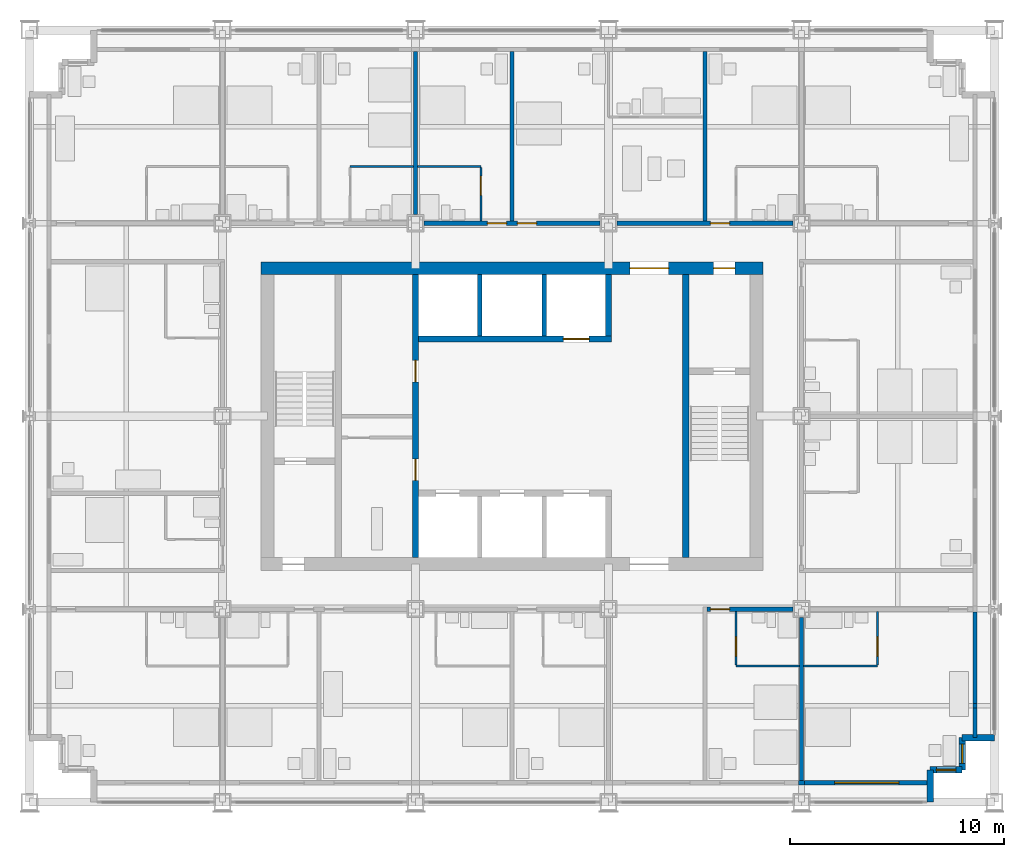
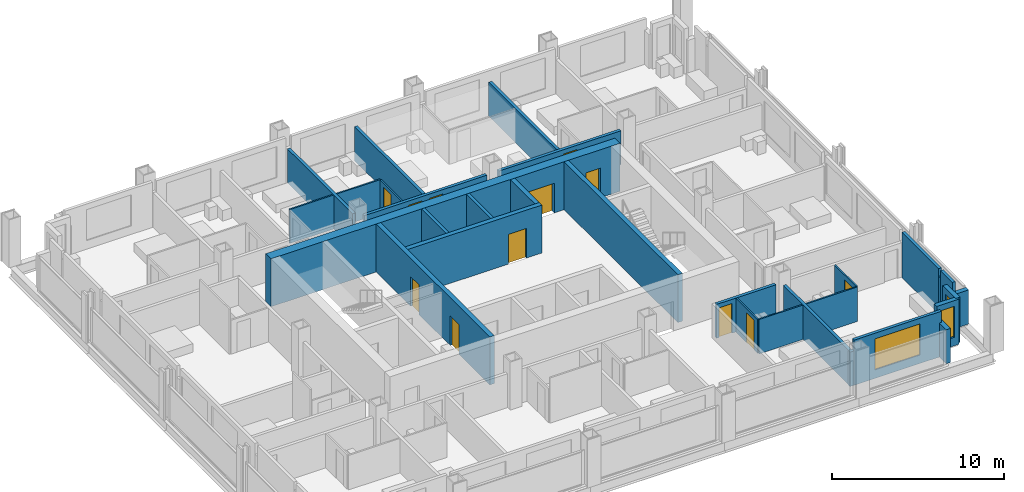
# One storey, part 11 of 16: 30 walls, 12 doors, 3 windows, 15 openings.
"""IFC4 building model written with IfcOpenShell, lengths in metres."""

from ifc_helpers import new_model, si_unit, direction, frame, frame_2d, origin, place, context, subcontext, project, spatial, rectangle, extrude, material, layer, layer_set, type_object, element, fill, save


model = new_model("IFC4")

# Units and contexts
model_context = context("Model", 3, precision=1e-05, world=origin(), true_north=direction((0.0, 1.0)))
body_context = subcontext(model_context, "Body", "Model", "MODEL_VIEW")
ifc_project = project(units=[si_unit("LENGTHUNIT", "METRE"), si_unit("AREAUNIT", "SQUARE_METRE"), si_unit("VOLUMEUNIT", "CUBIC_METRE"), si_unit("PLANEANGLEUNIT", "RADIAN"), si_unit("MASSUNIT", "GRAM", prefix="KILO")], contexts=[model_context])

# Site, building, storey
site_placement = place(None, origin())
site = spatial("IfcSite", under=ifc_project, at=site_placement, CompositionType="ELEMENT")
building_placement = place(site_placement, origin())
building = spatial("IfcBuilding", under=site, at=building_placement, Name="Loomwork Tower", CompositionType="ELEMENT")
storey_placement = place(building_placement, frame((0.0, 0.0, 104.39990234375)))
storey = spatial("IfcBuildingStorey", under=building, at=storey_placement, Name="L27", CompositionType="ELEMENT", Elevation=104.39990234375)

# Wall, openings, doors
ifc_material_1 = material(Name="Concrete 14000 psi (97 MPa)", Category="concrete")
ifc_layer_1 = layer(ifc_material_1, 0.300048828125)
ifc_layer_set_1 = layer_set([ifc_layer_1], Name="Core shear wall 300")
wall_type_1 = type_object("IfcWallType", Name="Core shear wall 300", PredefinedType="SHEAR", material=ifc_layer_set_1)
wall_1_placement = place(storey_placement, frame((18.0, 11.39990234375, 0.0), z_axis=(0.0, 0.0, 1.0), x_axis=(0.0, 1.0, 0.0)))
wall_1 = element("IfcWall", 1, at=wall_1_placement, inside=storey, type_object=wall_type_1, Name="Lobby west wall L27", PredefinedType="SHEAR", context=body_context, shape_type="SweptSolid", body=[
    extrude(rectangle(XDim=13.2001953125, YDim=0.300048828125, at=frame_2d((6.60009765625, 0.0))), origin(), (0.0, 0.0, 1.0), 3.400146484375),
])
opening_1_placement = place(wall_1_placement, frame((3.60009765625, 0.0, 0.0)))
opening_1 = element("IfcOpeningElement", 2, at=opening_1_placement, cuts=wall_1, Name="Opening D5", PredefinedType="OPENING", context=body_context, shape_type="SweptSolid", body=[
    extrude(rectangle(XDim=1.0, YDim=2.10009765625, at=frame_2d((0.5, 1.050048828125))), frame((0.0, 0.159912109375, 0.0), z_axis=(0.0, -1.0, 0.0), x_axis=(1.0, 0.0, 0.0)), (0.0, 0.0, 1.0), 0.320068359375),
])
opening_2_placement = place(wall_1_placement, frame((8.199951171875, 0.0, 0.0)))
opening_2 = element("IfcOpeningElement", 3, at=opening_2_placement, cuts=wall_1, Name="Opening D5", PredefinedType="OPENING", context=body_context, shape_type="SweptSolid", body=[
    extrude(rectangle(XDim=1.0, YDim=2.10009765625, at=frame_2d((0.5, 1.050048828125))), frame((0.0, 0.159912109375, 0.0), z_axis=(0.0, -1.0, 0.0), x_axis=(1.0, 0.0, 0.0)), (0.0, 0.0, 1.0), 0.320068359375),
])
ifc_material_2 = material(Name="Hollow metal door and frame")
door_type_1 = type_object("IfcDoorType", Name="Service door 1000", OperationType="SINGLE_SWING_LEFT", PredefinedType="DOOR", material=ifc_material_2)
door_1_placement = place(opening_1_placement, origin())
door_1 = element("IfcDoor", 4, at=door_1_placement, inside=storey, type_object=door_type_1, Name="Back-of-house door south", OperationType="SINGLE_SWING_LEFT", OverallHeight=2.10009765625, OverallWidth=1.0, PredefinedType="DOOR", context=body_context, shape_type="SweptSolid", body=[
    extrude(rectangle(XDim=1.0, YDim=2.10009765625, at=frame_2d((0.5, 1.050048828125))), frame((0.0, 0.02490234375, 0.0), z_axis=(0.0, -1.0, 0.0), x_axis=(1.0, 0.0, 0.0)), (0.0, 0.0, 1.0), 0.050048828125),
])
fill(opening_1, door_1)
door_2_placement = place(opening_2_placement, origin())
door_2 = element("IfcDoor", 5, at=door_2_placement, inside=storey, type_object=door_type_1, Name="Back-of-house door north", OperationType="SINGLE_SWING_RIGHT", OverallHeight=2.10009765625, OverallWidth=1.0, PredefinedType="DOOR", context=body_context, shape_type="SweptSolid", body=[
    extrude(rectangle(XDim=1.0, YDim=2.10009765625, at=frame_2d((0.5, 1.050048828125))), frame((0.0, 0.02490234375, 0.0), z_axis=(0.0, -1.0, 0.0), x_axis=(1.0, 0.0, 0.0)), (0.0, 0.0, 1.0), 0.050048828125),
])
fill(opening_2, door_2)

# Wall, opening, door
wall_2_placement = place(storey_placement, frame((18.14990234375, 21.60009765625, 0.0), z_axis=(0.0, 0.0, 1.0), x_axis=(1.0, 0.0, 0.0)))
wall_2 = element("IfcWall", 6, at=wall_2_placement, inside=storey, type_object=wall_type_1, Name="Lift front wall north L27", PredefinedType="SHEAR", context=body_context, shape_type="SweptSolid", body=[
    extrude(rectangle(XDim=9.0, YDim=0.300048828125, at=frame_2d((4.5, 0.0))), origin(), (0.0, 0.0, 1.0), 3.400146484375),
])
opening_3_placement = place(wall_2_placement, frame((6.75, 0.0, 0.0)))
opening_3 = element("IfcOpeningElement", 7, at=opening_3_placement, cuts=wall_2, Name="Opening LD2", PredefinedType="OPENING", context=body_context, shape_type="SweptSolid", body=[
    extrude(rectangle(XDim=1.199951171875, YDim=2.10009765625, at=frame_2d((0.60009765625, 1.050048828125))), frame((0.0, 0.159912109375, 0.0), z_axis=(0.0, -1.0, 0.0), x_axis=(1.0, 0.0, 0.0)), (0.0, 0.0, 1.0), 0.320068359375),
])
ifc_material_3 = material(Name="Hollow metal door and frame")
door_type_2 = type_object("IfcDoorType", Name="Lift landing door 1200", OperationType="SLIDING_TO_LEFT", PredefinedType="DOOR", material=ifc_material_3)
door_3_placement = place(opening_3_placement, origin())
door_3 = element("IfcDoor", 8, at=door_3_placement, inside=storey, type_object=door_type_2, Name="Lift landing door LF2", OperationType="SLIDING_TO_LEFT", OverallHeight=2.10009765625, OverallWidth=1.199951171875, PredefinedType="DOOR", context=body_context, shape_type="SweptSolid", body=[
    extrude(rectangle(XDim=1.199951171875, YDim=2.10009765625, at=frame_2d((0.60009765625, 1.050048828125))), frame((0.0, 0.02490234375, 0.0), z_axis=(0.0, -1.0, 0.0), x_axis=(1.0, 0.0, 0.0)), (0.0, 0.0, 1.0), 0.050048828125),
])
fill(opening_3, door_3)

# Walls
wall_3_placement = place(storey_placement, frame((27.0, 21.75, 0.0), z_axis=(0.0, 0.0, 1.0), x_axis=(0.0, 1.0, 0.0)))
element("IfcWall", 9, at=wall_3_placement, inside=storey, type_object=wall_type_1, Name="Lift shaft end wall north L27", PredefinedType="SHEAR", context=body_context, shape_type="SweptSolid", body=[
    extrude(rectangle(XDim=2.85009765625, YDim=0.300048828125, at=frame_2d((1.425048828125, 0.0))), origin(), (0.0, 0.0, 1.0), 3.400146484375),
])
wall_4_placement = place(storey_placement, frame((30.60009765625, 11.39990234375, 0.0), z_axis=(0.0, 0.0, 1.0), x_axis=(0.0, 1.0, 0.0)))
element("IfcWall", 10, at=wall_4_placement, inside=storey, type_object=wall_type_1, Name="Stair B west wall L27", PredefinedType="SHEAR", context=body_context, shape_type="SweptSolid", body=[
    extrude(rectangle(XDim=13.2001953125, YDim=0.300048828125, at=frame_2d((6.60009765625, 0.0))), origin(), (0.0, 0.0, 1.0), 3.400146484375),
])

# Wall, openings, doors
ifc_material_4 = material(Name="Concrete 14000 psi (97 MPa)", Category="concrete")
ifc_layer_2 = layer(ifc_material_4, 0.60009765625)
ifc_layer_set_2 = layer_set([ifc_layer_2], Name="Core shear wall 600")
wall_type_2 = type_object("IfcWallType", Name="Core shear wall 600", PredefinedType="SHEAR", material=ifc_layer_set_2)
wall_5_placement = place(storey_placement, frame((10.800048828125, 24.89990234375, 0.0), z_axis=(0.0, 0.0, 1.0), x_axis=(1.0, 0.0, 0.0)))
wall_5 = element("IfcWall", 11, at=wall_5_placement, inside=storey, type_object=wall_type_2, Name="Core wall north L27", PredefinedType="SHEAR", context=body_context, shape_type="SweptSolid", body=[
    extrude(rectangle(XDim=23.39990234375, YDim=0.60009765625, at=frame_2d((11.699951171875, 0.0))), origin(), (0.0, 0.0, 1.0), 3.400146484375),
])
opening_4_placement = place(wall_5_placement, frame((17.199951171875, 0.0, 0.0)))
opening_4 = element("IfcOpeningElement", 12, at=opening_4_placement, cuts=wall_5, Name="Opening D6", PredefinedType="OPENING", context=body_context, shape_type="SweptSolid", body=[
    extrude(rectangle(XDim=1.800048828125, YDim=2.10009765625, at=frame_2d((0.89990234375, 1.050048828125))), frame((0.0, 0.31005859375, 0.0), z_axis=(0.0, -1.0, 0.0), x_axis=(1.0, 0.0, 0.0)), (0.0, 0.0, 1.0), 0.6201171875),
])
opening_5_placement = place(wall_5_placement, frame((21.10009765625, 0.0, 0.0)))
opening_5 = element("IfcOpeningElement", 13, at=opening_5_placement, cuts=wall_5, Name="Opening D4", PredefinedType="OPENING", context=body_context, shape_type="SweptSolid", body=[
    extrude(rectangle(XDim=1.0, YDim=2.10009765625, at=frame_2d((0.5, 1.050048828125))), frame((0.0, 0.31005859375, 0.0), z_axis=(0.0, -1.0, 0.0), x_axis=(1.0, 0.0, 0.0)), (0.0, 0.0, 1.0), 0.6201171875),
])
ifc_material_5 = material(Name="Hollow metal door and frame")
door_type_3 = type_object("IfcDoorType", Name="Lobby passage double door 1800", OperationType="DOUBLE_DOOR_SINGLE_SWING", PredefinedType="DOOR", material=ifc_material_5)
door_4_placement = place(opening_4_placement, frame((1.800048828125, 0.0, 0.0), z_axis=(0.0, 0.0, 1.0), x_axis=(-1.0, 0.0, 0.0)))
door_4 = element("IfcDoor", 14, at=door_4_placement, inside=storey, type_object=door_type_3, Name="Lobby passage door north", OperationType="DOUBLE_DOOR_SINGLE_SWING", OverallHeight=2.10009765625, OverallWidth=1.800048828125, PredefinedType="DOOR", context=body_context, shape_type="SweptSolid", body=[
    extrude(rectangle(XDim=1.800048828125, YDim=2.10009765625, at=frame_2d((0.89990234375, 1.050048828125))), frame((0.0, 0.02490234375, 0.0), z_axis=(0.0, -1.0, 0.0), x_axis=(1.0, 0.0, 0.0)), (0.0, 0.0, 1.0), 0.050048828125),
])
fill(opening_4, door_4)
ifc_material_6 = material(Name="Hollow metal door and frame")
door_type_4 = type_object("IfcDoorType", Name="Stair door 1000", OperationType="SINGLE_SWING_RIGHT", PredefinedType="DOOR", material=ifc_material_6)
door_5_placement = place(opening_5_placement, frame((1.0, 0.0, 0.0), z_axis=(0.0, 0.0, 1.0), x_axis=(-1.0, 0.0, 0.0)))
door_5 = element("IfcDoor", 15, at=door_5_placement, inside=storey, type_object=door_type_4, Name="Stair B vestibule door", OperationType="SINGLE_SWING_LEFT", OverallHeight=2.10009765625, OverallWidth=1.0, PredefinedType="DOOR", context=body_context, shape_type="SweptSolid", body=[
    extrude(rectangle(XDim=1.0, YDim=2.10009765625, at=frame_2d((0.5, 1.050048828125))), frame((0.0, 0.02490234375, 0.0), z_axis=(0.0, -1.0, 0.0), x_axis=(1.0, 0.0, 0.0)), (0.0, 0.0, 1.0), 0.050048828125),
])
fill(opening_5, door_5)

# Wall, opening, door
ifc_material_7 = material(Name="Gypsum board on steel studs, one-hour", Category="steel")
ifc_layer_3 = layer(ifc_material_7, 0.199951171875)
ifc_layer_set_3 = layer_set([ifc_layer_3], Name="Corridor wall 200")
wall_type_3 = type_object("IfcWallType", Name="Corridor wall 200", PredefinedType="PARTITIONING", material=ifc_layer_set_3)
wall_6_placement = place(storey_placement, frame((31.60009765625, 9.0, 0.0), z_axis=(0.0, 0.0, 1.0), x_axis=(1.0, 0.0, 0.0)))
wall_6 = element("IfcWall", 16, at=wall_6_placement, inside=storey, type_object=wall_type_3, Name="South corridor wall 4", PredefinedType="PARTITIONING", context=body_context, shape_type="SweptSolid", body=[
    extrude(rectangle(XDim=4.0, YDim=0.199951171875, at=frame_2d((2.0, 0.0))), origin(), (0.0, 0.0, 1.0), 2.405029296875),
])
opening_6_placement = place(wall_6_placement, frame((0.14990234375, 0.0, 0.0)))
opening_6 = element("IfcOpeningElement", 17, at=opening_6_placement, cuts=wall_6, Name="Opening D1", PredefinedType="OPENING", context=body_context, shape_type="SweptSolid", body=[
    extrude(rectangle(XDim=0.89990234375, YDim=2.10009765625, at=frame_2d((0.449951171875, 1.050048828125))), frame((0.0, 0.10986328125, 0.0), z_axis=(0.0, -1.0, 0.0), x_axis=(1.0, 0.0, 0.0)), (0.0, 0.0, 1.0), 0.219970703125),
])
ifc_material_8 = material(Name="Hollow metal door and frame")
door_type_5 = type_object("IfcDoorType", Name="Guest room entry door 900", OperationType="SINGLE_SWING_LEFT", PredefinedType="DOOR", material=ifc_material_8)
door_6_placement = place(opening_6_placement, frame((0.89990234375, 0.0, 0.0), z_axis=(0.0, 0.0, 1.0), x_axis=(-1.0, 0.0, 0.0)))
door_6 = element("IfcDoor", 18, at=door_6_placement, inside=storey, type_object=door_type_5, Name="Guest room entry door L27 5", OperationType="SINGLE_SWING_RIGHT", OverallHeight=2.10009765625, OverallWidth=0.89990234375, PredefinedType="DOOR", context=body_context, shape_type="SweptSolid", body=[
    extrude(rectangle(XDim=0.89990234375, YDim=2.10009765625, at=frame_2d((0.449951171875, 1.050048828125))), frame((0.0, 0.02490234375, 0.0), z_axis=(0.0, -1.0, 0.0), x_axis=(1.0, 0.0, 0.0)), (0.0, 0.0, 1.0), 0.050048828125),
])
fill(opening_6, door_6)

# Wall, openings, doors
wall_7_placement = place(storey_placement, frame((18.39990234375, 27.0, 0.0), z_axis=(0.0, 0.0, 1.0), x_axis=(1.0, 0.0, 0.0)))
wall_7 = element("IfcWall", 19, at=wall_7_placement, inside=storey, type_object=wall_type_3, Name="North corridor wall 3", PredefinedType="PARTITIONING", context=body_context, shape_type="SweptSolid", body=[
    extrude(rectangle(XDim=8.2001953125, YDim=0.199951171875, at=frame_2d((4.10009765625, 0.0))), origin(), (0.0, 0.0, 1.0), 2.405029296875),
])
opening_7_placement = place(wall_7_placement, frame((2.949951171875, 0.0, 0.0)))
opening_7 = element("IfcOpeningElement", 20, at=opening_7_placement, cuts=wall_7, Name="Opening D1", PredefinedType="OPENING", context=body_context, shape_type="SweptSolid", body=[
    extrude(rectangle(XDim=0.89990234375, YDim=2.10009765625, at=frame_2d((0.449951171875, 1.050048828125))), frame((0.0, 0.10986328125, 0.0), z_axis=(0.0, -1.0, 0.0), x_axis=(1.0, 0.0, 0.0)), (0.0, 0.0, 1.0), 0.219970703125),
])
opening_8_placement = place(wall_7_placement, frame((4.35009765625, 0.0, 0.0)))
opening_8 = element("IfcOpeningElement", 21, at=opening_8_placement, cuts=wall_7, Name="Opening D1", PredefinedType="OPENING", context=body_context, shape_type="SweptSolid", body=[
    extrude(rectangle(XDim=0.89990234375, YDim=2.10009765625, at=frame_2d((0.449951171875, 1.050048828125))), frame((0.0, 0.10986328125, 0.0), z_axis=(0.0, -1.0, 0.0), x_axis=(1.0, 0.0, 0.0)), (0.0, 0.0, 1.0), 0.219970703125),
])
door_7_placement = place(opening_7_placement, origin())
door_7 = element("IfcDoor", 22, at=door_7_placement, inside=storey, type_object=door_type_5, Name="Guest room entry door L27 10", OperationType="SINGLE_SWING_RIGHT", OverallHeight=2.10009765625, OverallWidth=0.89990234375, PredefinedType="DOOR", context=body_context, shape_type="SweptSolid", body=[
    extrude(rectangle(XDim=0.89990234375, YDim=2.10009765625, at=frame_2d((0.449951171875, 1.050048828125))), frame((0.0, 0.02490234375, 0.0), z_axis=(0.0, -1.0, 0.0), x_axis=(1.0, 0.0, 0.0)), (0.0, 0.0, 1.0), 0.050048828125),
])
fill(opening_7, door_7)
door_8_placement = place(opening_8_placement, origin())
door_8 = element("IfcDoor", 23, at=door_8_placement, inside=storey, type_object=door_type_5, Name="Guest room entry door L27 11", OperationType="SINGLE_SWING_LEFT", OverallHeight=2.10009765625, OverallWidth=0.89990234375, PredefinedType="DOOR", context=body_context, shape_type="SweptSolid", body=[
    extrude(rectangle(XDim=0.89990234375, YDim=2.10009765625, at=frame_2d((0.449951171875, 1.050048828125))), frame((0.0, 0.02490234375, 0.0), z_axis=(0.0, -1.0, 0.0), x_axis=(1.0, 0.0, 0.0)), (0.0, 0.0, 1.0), 0.050048828125),
])
fill(opening_8, door_8)

# Wall, opening, door
wall_8_placement = place(storey_placement, frame((27.39990234375, 27.0, 0.0), z_axis=(0.0, 0.0, 1.0), x_axis=(1.0, 0.0, 0.0)))
wall_8 = element("IfcWall", 24, at=wall_8_placement, inside=storey, type_object=wall_type_3, Name="North corridor wall 4", PredefinedType="PARTITIONING", context=body_context, shape_type="SweptSolid", body=[
    extrude(rectangle(XDim=8.2001953125, YDim=0.199951171875, at=frame_2d((4.10009765625, 0.0))), origin(), (0.0, 0.0, 1.0), 2.405029296875),
])
opening_9_placement = place(wall_8_placement, frame((4.35009765625, 0.0, 0.0)))
opening_9 = element("IfcOpeningElement", 25, at=opening_9_placement, cuts=wall_8, Name="Opening D1", PredefinedType="OPENING", context=body_context, shape_type="SweptSolid", body=[
    extrude(rectangle(XDim=0.89990234375, YDim=2.10009765625, at=frame_2d((0.449951171875, 1.050048828125))), frame((0.0, 0.10986328125, 0.0), z_axis=(0.0, -1.0, 0.0), x_axis=(1.0, 0.0, 0.0)), (0.0, 0.0, 1.0), 0.219970703125),
])
door_9_placement = place(opening_9_placement, origin())
door_9 = element("IfcDoor", 26, at=door_9_placement, inside=storey, type_object=door_type_5, Name="Guest room entry door L27 12", OperationType="SINGLE_SWING_LEFT", OverallHeight=2.10009765625, OverallWidth=0.89990234375, PredefinedType="DOOR", context=body_context, shape_type="SweptSolid", body=[
    extrude(rectangle(XDim=0.89990234375, YDim=2.10009765625, at=frame_2d((0.449951171875, 1.050048828125))), frame((0.0, 0.02490234375, 0.0), z_axis=(0.0, -1.0, 0.0), x_axis=(1.0, 0.0, 0.0)), (0.0, 0.0, 1.0), 0.050048828125),
])
fill(opening_9, door_9)

# Wall
ifc_material_9 = material(Name="Cement board on steel studs", Category="steel")
ifc_layer_4 = layer(ifc_material_9, 0.10009765625)
ifc_layer_set_4 = layer_set([ifc_layer_4], Name="En-suite partition 100")
wall_type_4 = type_object("IfcWallType", Name="En-suite partition 100", PredefinedType="PARTITIONING", material=ifc_layer_set_4)
wall_9_placement = place(storey_placement, frame((32.949951171875, 6.35009765625, 0.0), z_axis=(0.0, 0.0, 1.0), x_axis=(1.0, 0.0, 0.0)))
element("IfcWall", 27, at=wall_9_placement, inside=storey, type_object=wall_type_4, Name="En-suite wall L27 room 5", PredefinedType="PARTITIONING", context=body_context, shape_type="SweptSolid", body=[
    extrude(rectangle(XDim=2.949951171875, YDim=0.10009765625, at=frame_2d((1.47509765625, 0.0))), origin(), (0.0, 0.0, 1.0), 2.43798828125),
])

# Wall, opening, door
wall_10_placement = place(storey_placement, frame((32.949951171875, 8.89990234375, 0.0), z_axis=(0.0, 0.0, 1.0), x_axis=(0.0, -1.0, 0.0)))
wall_10 = element("IfcWall", 28, at=wall_10_placement, inside=storey, type_object=wall_type_4, Name="En-suite side wall L27 room 5", PredefinedType="PARTITIONING", context=body_context, shape_type="SweptSolid", body=[
    extrude(rectangle(XDim=2.5, YDim=0.10009765625, at=frame_2d((1.25, 0.0))), origin(), (0.0, 0.0, 1.0), 2.404052734375),
])
opening_10_placement = place(wall_10_placement, frame((1.199951171875, 0.0, 0.0)))
opening_10 = element("IfcOpeningElement", 29, at=opening_10_placement, cuts=wall_10, Name="Opening D2", PredefinedType="OPENING", context=body_context, shape_type="SweptSolid", body=[
    extrude(rectangle(XDim=0.89990234375, YDim=2.10009765625, at=frame_2d((0.449951171875, 1.050048828125))), frame((0.0, 0.06005859375, 0.0), z_axis=(0.0, -1.0, 0.0), x_axis=(1.0, 0.0, 0.0)), (0.0, 0.0, 1.0), 0.1201171875),
])
ifc_material_10 = material(Name="Hollow metal door and frame")
door_type_6 = type_object("IfcDoorType", Name="En-suite door 900", OperationType="SINGLE_SWING_LEFT", PredefinedType="DOOR", material=ifc_material_10)
door_10_placement = place(opening_10_placement, origin())
door_10 = element("IfcDoor", 30, at=door_10_placement, inside=storey, type_object=door_type_6, Name="En-suite door room 5", OperationType="SINGLE_SWING_RIGHT", OverallHeight=2.10009765625, OverallWidth=0.89990234375, PredefinedType="DOOR", context=body_context, shape_type="SweptSolid", body=[
    extrude(rectangle(XDim=0.89990234375, YDim=2.10009765625, at=frame_2d((0.449951171875, 1.050048828125))), frame((0.0, 0.02490234375, 0.0), z_axis=(0.0, -1.0, 0.0), x_axis=(1.0, 0.0, 0.0)), (0.0, 0.0, 1.0), 0.050048828125),
])
fill(opening_10, door_10)

# Wall
wall_11_placement = place(storey_placement, frame((36.10009765625, 6.35009765625, 0.0), z_axis=(0.0, 0.0, 1.0), x_axis=(1.0, 0.0, 0.0)))
element("IfcWall", 31, at=wall_11_placement, inside=storey, type_object=wall_type_4, Name="En-suite wall L27 room 6", PredefinedType="PARTITIONING", context=body_context, shape_type="SweptSolid", body=[
    extrude(rectangle(XDim=3.449951171875, YDim=0.10009765625, at=frame_2d((1.72509765625, 0.0))), origin(), (0.0, 0.0, 1.0), 2.43798828125),
])

# Wall, opening, door
wall_12_placement = place(storey_placement, frame((39.550048828125, 8.89990234375, 0.0), z_axis=(0.0, 0.0, 1.0), x_axis=(0.0, -1.0, 0.0)))
wall_12 = element("IfcWall", 32, at=wall_12_placement, inside=storey, type_object=wall_type_4, Name="En-suite side wall L27 room 6", PredefinedType="PARTITIONING", context=body_context, shape_type="SweptSolid", body=[
    extrude(rectangle(XDim=2.5, YDim=0.10009765625, at=frame_2d((1.25, 0.0))), origin(), (0.0, 0.0, 1.0), 2.43798828125),
])
opening_11_placement = place(wall_12_placement, frame((1.199951171875, 0.0, 0.0)))
opening_11 = element("IfcOpeningElement", 33, at=opening_11_placement, cuts=wall_12, Name="Opening D2", PredefinedType="OPENING", context=body_context, shape_type="SweptSolid", body=[
    extrude(rectangle(XDim=0.89990234375, YDim=2.10009765625, at=frame_2d((0.449951171875, 1.050048828125))), frame((0.0, 0.06005859375, 0.0), z_axis=(0.0, -1.0, 0.0), x_axis=(1.0, 0.0, 0.0)), (0.0, 0.0, 1.0), 0.1201171875),
])
door_11_placement = place(opening_11_placement, frame((0.89990234375, 0.0, 0.0), z_axis=(0.0, 0.0, 1.0), x_axis=(-1.0, 0.0, 0.0)))
door_11 = element("IfcDoor", 34, at=door_11_placement, inside=storey, type_object=door_type_6, Name="En-suite door room 6", OperationType="SINGLE_SWING_LEFT", OverallHeight=2.10009765625, OverallWidth=0.89990234375, PredefinedType="DOOR", context=body_context, shape_type="SweptSolid", body=[
    extrude(rectangle(XDim=0.89990234375, YDim=2.10009765625, at=frame_2d((0.449951171875, 1.050048828125))), frame((0.0, 0.02490234375, 0.0), z_axis=(0.0, -1.0, 0.0), x_axis=(1.0, 0.0, 0.0)), (0.0, 0.0, 1.0), 0.050048828125),
])
fill(opening_11, door_11)

# Walls
for number, where, z_axis, x_axis, name in (
    (35, (14.949951171875, 29.64990234375, 0.0), (0.0, 0.0, 1.0), (1.0, 0.0, 0.0), "En-suite wall L27 room 9"),
    (36, (18.10009765625, 29.64990234375, 0.0), (0.0, 0.0, 1.0), (1.0, 0.0, 0.0), "En-suite wall L27 room 10"),
):
    element("IfcWall", number, at=place(storey_placement, frame(where, z_axis=z_axis, x_axis=x_axis)), inside=storey, type_object=wall_type_4, Name=name, PredefinedType="PARTITIONING", context=body_context, shape_type="SweptSolid", body=[
        extrude(rectangle(XDim=2.949951171875, YDim=0.10009765625, at=frame_2d((1.47509765625, 0.0))), origin(), (0.0, 0.0, 1.0), 2.404052734375),
    ])

# Wall, opening, door
wall_13_placement = place(storey_placement, frame((21.050048828125, 27.10009765625, 0.0), z_axis=(0.0, 0.0, 1.0), x_axis=(0.0, 1.0, 0.0)))
wall_13 = element("IfcWall", 37, at=wall_13_placement, inside=storey, type_object=wall_type_4, Name="En-suite side wall L27 room 10", PredefinedType="PARTITIONING", context=body_context, shape_type="SweptSolid", body=[
    extrude(rectangle(XDim=2.5, YDim=0.10009765625, at=frame_2d((1.25, 0.0))), origin(), (0.0, 0.0, 1.0), 2.404052734375),
])
opening_12_placement = place(wall_13_placement, frame((1.199951171875, 0.0, 0.0)))
opening_12 = element("IfcOpeningElement", 38, at=opening_12_placement, cuts=wall_13, Name="Opening D2", PredefinedType="OPENING", context=body_context, shape_type="SweptSolid", body=[
    extrude(rectangle(XDim=0.89990234375, YDim=2.10009765625, at=frame_2d((0.449951171875, 1.050048828125))), frame((0.0, 0.06005859375, 0.0), z_axis=(0.0, -1.0, 0.0), x_axis=(1.0, 0.0, 0.0)), (0.0, 0.0, 1.0), 0.1201171875),
])
door_12_placement = place(opening_12_placement, origin())
door_12 = element("IfcDoor", 39, at=door_12_placement, inside=storey, type_object=door_type_6, Name="En-suite door room 10", OperationType="SINGLE_SWING_RIGHT", OverallHeight=2.10009765625, OverallWidth=0.89990234375, PredefinedType="DOOR", context=body_context, shape_type="SweptSolid", body=[
    extrude(rectangle(XDim=0.89990234375, YDim=2.10009765625, at=frame_2d((0.449951171875, 1.050048828125))), frame((0.0, 0.02490234375, 0.0), z_axis=(0.0, -1.0, 0.0), x_axis=(1.0, 0.0, 0.0)), (0.0, 0.0, 1.0), 0.050048828125),
])
fill(opening_12, door_12)

# Walls
ifc_material_11 = material(Name="Gypsum board on steel studs, acoustic", Category="steel")
ifc_layer_5 = layer(ifc_material_11, 0.199951171875)
ifc_layer_set_5 = layer_set([ifc_layer_5], Name="Guest room party wall 200")
wall_type_5 = type_object("IfcWallType", Name="Guest room party wall 200", PredefinedType="PARTITIONING", material=ifc_layer_set_5)
wall_14_placement = place(storey_placement, frame((36.0, 8.60009765625, 0.0), z_axis=(0.0, 0.0, 1.0), x_axis=(0.0, -1.0, 0.0)))
element("IfcWall", 40, at=wall_14_placement, inside=storey, type_object=wall_type_5, Name="Guest room party wall S 36", PredefinedType="PARTITIONING", context=body_context, shape_type="SweptSolid", body=[
    extrude(rectangle(XDim=7.60009765625, YDim=0.199951171875, at=frame_2d((3.800048828125, 0.0))), origin(), (0.0, 0.0, 1.0), 2.43798828125),
])
wall_15_placement = place(storey_placement, frame((18.0, 27.39990234375, 0.0), z_axis=(0.0, 0.0, 1.0), x_axis=(0.0, 1.0, 0.0)))
element("IfcWall", 41, at=wall_15_placement, inside=storey, type_object=wall_type_5, Name="Guest room party wall N 18", PredefinedType="PARTITIONING", context=body_context, shape_type="SweptSolid", body=[
    extrude(rectangle(XDim=7.60009765625, YDim=0.199951171875, at=frame_2d((3.800048828125, 0.0))), origin(), (0.0, 0.0, 1.0), 2.405029296875),
])
for number, where, z_axis, x_axis, name in (
    (42, (22.5, 27.10009765625, 0.0), (0.0, 0.0, 1.0), (0.0, 1.0, 0.0), "Guest room party wall N 22.5"),
    (43, (31.5, 27.10009765625, 0.0), (0.0, 0.0, 1.0), (0.0, 1.0, 0.0), "Guest room party wall N 31.5"),
):
    element("IfcWall", number, at=place(storey_placement, frame(where, z_axis=z_axis, x_axis=x_axis)), inside=storey, type_object=wall_type_5, Name=name, PredefinedType="PARTITIONING", context=body_context, shape_type="SweptSolid", body=[
        extrude(rectangle(XDim=7.89990234375, YDim=0.199951171875, at=frame_2d((3.949951171875, 0.0))), origin(), (0.0, 0.0, 1.0), 2.404052734375),
    ])
ifc_material_12 = material(Name="Insulated steel stud wall with gypsum lining", Category="steel")
ifc_layer_6 = layer(ifc_material_12, 0.199951171875)
ifc_layer_set_6 = layer_set([ifc_layer_6], Name="Inner skin wall 200")
wall_type_6 = type_object("IfcWallType", Name="Inner skin wall 200", PredefinedType="SOLIDWALL", material=ifc_layer_set_6)
wall_16_placement = place(storey_placement, frame((44.10009765625, 3.0, 0.0), z_axis=(0.0, 0.0, 1.0), x_axis=(0.0, 1.0, 0.0)))
element("IfcWall", 44, at=wall_16_placement, inside=storey, type_object=wall_type_6, Name="Inner skin wall E", PredefinedType="SOLIDWALL", context=body_context, shape_type="SweptSolid", body=[
    extrude(rectangle(XDim=1.392578125, YDim=0.199951171875, at=frame_2d((0.6962890625, 0.0))), origin(), (0.0, 0.0, 1.0), 3.2001953125),
])
wall_17_placement = place(storey_placement, frame((35.864501953125, 0.89990234375, 0.0), z_axis=(0.0, 0.0, 1.0), x_axis=(1.0, 0.0, 0.0)))
element("IfcWall", 45, at=wall_17_placement, inside=storey, type_object=wall_type_6, Name="Inner skin wall S bay 8", PredefinedType="SOLIDWALL", context=body_context, shape_type="SweptSolid", body=[
    extrude(rectangle(XDim=0.27099609375, YDim=0.199951171875, at=frame_2d((0.135498046875, 0.0))), origin(), (0.0, 0.0, 1.0), 2.43798828125),
])

# Wall, opening, window
wall_18_placement = place(storey_placement, frame((36.135498046875, 0.89990234375, 0.0), z_axis=(0.0, 0.0, 1.0), x_axis=(1.0, 0.0, 0.0)))
wall_18 = element("IfcWall", 46, at=wall_18_placement, inside=storey, type_object=wall_type_6, Name="Inner skin wall S bay 9", PredefinedType="SOLIDWALL", context=body_context, shape_type="SweptSolid", body=[
    extrude(rectangle(XDim=5.864501953125, YDim=0.199951171875, at=frame_2d((2.93212890625, 0.0))), origin(), (0.0, 0.0, 1.0), 3.2001953125),
])
opening_13_placement = place(wall_18_placement, frame((1.41455078125, 0.0, 0.60009765625)))
opening_13 = element("IfcOpeningElement", 47, at=opening_13_placement, cuts=wall_18, Name="Opening CH1", PredefinedType="OPENING", context=body_context, shape_type="SweptSolid", body=[
    extrude(rectangle(XDim=3.0, YDim=2.199951171875, at=frame_2d((1.5, 1.10009765625))), frame((0.0, 0.10986328125, 0.0), z_axis=(0.0, -1.0, 0.0), x_axis=(1.0, 0.0, 0.0)), (0.0, 0.0, 1.0), 0.219970703125),
])
ifc_material_13 = material(Name="Aluminium frame with clear insulated glass", Category="aluminium")
window_type_1 = type_object("IfcWindowType", Name="Chicago window 3000", PartitioningType="TRIPLE_PANEL_VERTICAL", PredefinedType="WINDOW", material=ifc_material_13)
window_1_placement = place(opening_13_placement, origin())
window_1 = element("IfcWindow", 48, at=window_1_placement, inside=storey, type_object=window_type_1, Name="Chicago window L27 bay 5", OverallHeight=2.199951171875, OverallWidth=3.0, PartitioningType="TRIPLE_PANEL_VERTICAL", PredefinedType="WINDOW", context=body_context, shape_type="SweptSolid", body=[
    extrude(rectangle(XDim=3.0, YDim=2.199951171875, at=frame_2d((1.5, 1.10009765625))), frame((0.0, 0.030029296875, 0.0), z_axis=(0.0, -1.0, 0.0), x_axis=(1.0, 0.0, 0.0)), (0.0, 0.0, 1.0), 0.06005859375),
])
fill(opening_13, window_1)

# Walls
wall_19_placement = place(storey_placement, frame((44.10009765625, 4.392578125, 0.0), z_axis=(0.0, 0.0, 1.0), x_axis=(0.0, 1.0, 0.0)))
element("IfcWall", 49, at=wall_19_placement, inside=storey, type_object=wall_type_6, Name="Inner skin wall E bay 2", PredefinedType="SOLIDWALL", context=body_context, shape_type="SweptSolid", body=[
    extrude(rectangle(XDim=0.21484375, YDim=0.199951171875, at=frame_2d((0.107421875, 0.0))), origin(), (0.0, 0.0, 1.0), 2.6611328125),
])
wall_20_placement = place(storey_placement, frame((44.10009765625, 4.607421875, 0.0), z_axis=(0.0, 0.0, 1.0), x_axis=(0.0, 1.0, 0.0)))
element("IfcWall", 50, at=wall_20_placement, inside=storey, type_object=wall_type_6, Name="Inner skin wall E bay 3", PredefinedType="SOLIDWALL", context=body_context, shape_type="SweptSolid", body=[
    extrude(rectangle(XDim=4.25732421875, YDim=0.199951171875, at=frame_2d((2.128662109375, 0.0))), origin(), (0.0, 0.0, 1.0), 3.2001953125),
])
ifc_material_14 = material(Name="Concrete 14000 psi (97 MPa)", Category="concrete")
ifc_layer_7 = layer(ifc_material_14, 0.199951171875)
ifc_layer_set_7 = layer_set([ifc_layer_7], Name="Lift shaft wall 200")
wall_type_7 = type_object("IfcWallType", Name="Lift shaft wall 200", PredefinedType="SHEAR", material=ifc_layer_set_7)
for number, where, z_axis, x_axis, name in (
    (51, (21.0, 21.75, 0.0), (0.0, 0.0, 1.0), (0.0, 1.0, 0.0), "Lift shaft separation wall north 1 L27"),
    (52, (24.0, 21.75, 0.0), (0.0, 0.0, 1.0), (0.0, 1.0, 0.0), "Lift shaft separation wall north 2 L27"),
):
    element("IfcWall", number, at=place(storey_placement, frame(where, z_axis=z_axis, x_axis=x_axis)), inside=storey, type_object=wall_type_7, Name=name, PredefinedType="SHEAR", context=body_context, shape_type="SweptSolid", body=[
        extrude(rectangle(XDim=2.85009765625, YDim=0.199951171875, at=frame_2d((1.425048828125, 0.0))), origin(), (0.0, 0.0, 1.0), 3.400146484375),
    ])
ifc_material_15 = material(Name="Limestone on concrete masonry", Category="masonry")
ifc_layer_8 = layer(ifc_material_15, 0.300048828125)
ifc_layer_set_8 = layer_set([ifc_layer_8], Name="Limestone corner wall 300")
wall_type_8 = type_object("IfcWallType", Name="Limestone corner wall 300", PredefinedType="SOLIDWALL", material=ifc_layer_set_8)
wall_21_placement = place(storey_placement, frame((42.0, 0.0, 0.0), z_axis=(0.0, 0.0, 1.0), x_axis=(0.0, 1.0, 0.0)))
element("IfcWall", 53, at=wall_21_placement, inside=storey, type_object=wall_type_8, Name="Stone corner wall SE 1", PredefinedType="SOLIDWALL", context=body_context, shape_type="SweptSolid", body=[
    extrude(rectangle(XDim=1.5, YDim=0.300048828125, at=frame_2d((0.75, 0.0))), origin(), (0.0, 0.0, 1.0), 2.420166015625),
])

# Wall, opening, window
wall_22_placement = place(storey_placement, frame((42.0, 1.5, 0.0), z_axis=(0.0, 0.0, 1.0), x_axis=(1.0, 0.0, 0.0)))
wall_22 = element("IfcWall", 54, at=wall_22_placement, inside=storey, type_object=wall_type_8, Name="Stone corner wall SE 2", PredefinedType="SOLIDWALL", context=body_context, shape_type="SweptSolid", body=[
    extrude(rectangle(XDim=1.5, YDim=0.300048828125, at=frame_2d((0.75, 0.0))), origin(), (0.0, 0.0, 1.0), 3.2001953125),
])
opening_14_placement = place(wall_22_placement, frame((0.300048828125, 0.0, 0.60009765625)))
opening_14 = element("IfcOpeningElement", 55, at=opening_14_placement, cuts=wall_22, Name="Opening CH2", PredefinedType="OPENING", context=body_context, shape_type="SweptSolid", body=[
    extrude(rectangle(XDim=0.89990234375, YDim=2.199951171875, at=frame_2d((0.449951171875, 1.10009765625))), frame((0.0, 0.159912109375, 0.0), z_axis=(0.0, -1.0, 0.0), x_axis=(1.0, 0.0, 0.0)), (0.0, 0.0, 1.0), 0.320068359375),
])
ifc_material_16 = material(Name="Aluminium frame with clear insulated glass", Category="aluminium")
window_type_2 = type_object("IfcWindowType", Name="Corner window 900", PartitioningType="SINGLE_PANEL", PredefinedType="WINDOW", material=ifc_material_16)
window_2_placement = place(opening_14_placement, origin())
window_2 = element("IfcWindow", 56, at=window_2_placement, inside=storey, type_object=window_type_2, Name="Corner window SE", OverallHeight=2.199951171875, OverallWidth=0.89990234375, PartitioningType="SINGLE_PANEL", PredefinedType="WINDOW", context=body_context, shape_type="SweptSolid", body=[
    extrude(rectangle(XDim=0.89990234375, YDim=2.199951171875, at=frame_2d((0.449951171875, 1.10009765625))), frame((0.0, 0.030029296875, 0.0), z_axis=(0.0, -1.0, 0.0), x_axis=(1.0, 0.0, 0.0)), (0.0, 0.0, 1.0), 0.06005859375),
])
fill(opening_14, window_2)

wall_23_placement = place(storey_placement, frame((43.5, 1.5, 0.0), z_axis=(0.0, 0.0, 1.0), x_axis=(0.0, 1.0, 0.0)))
wall_23 = element("IfcWall", 57, at=wall_23_placement, inside=storey, type_object=wall_type_8, Name="Stone corner wall SE 3", PredefinedType="SOLIDWALL", context=body_context, shape_type="SweptSolid", body=[
    extrude(rectangle(XDim=1.5, YDim=0.300048828125, at=frame_2d((0.75, 0.0))), origin(), (0.0, 0.0, 1.0), 3.2001953125),
])
opening_15_placement = place(wall_23_placement, frame((0.300048828125, 0.0, 0.60009765625)))
opening_15 = element("IfcOpeningElement", 58, at=opening_15_placement, cuts=wall_23, Name="Opening CH2", PredefinedType="OPENING", context=body_context, shape_type="SweptSolid", body=[
    extrude(rectangle(XDim=0.89990234375, YDim=2.199951171875, at=frame_2d((0.449951171875, 1.10009765625))), frame((0.0, 0.159912109375, 0.0), z_axis=(0.0, -1.0, 0.0), x_axis=(1.0, 0.0, 0.0)), (0.0, 0.0, 1.0), 0.320068359375),
])
window_3_placement = place(opening_15_placement, origin())
window_3 = element("IfcWindow", 59, at=window_3_placement, inside=storey, type_object=window_type_2, Name="Corner window SE", OverallHeight=2.199951171875, OverallWidth=0.89990234375, PartitioningType="SINGLE_PANEL", PredefinedType="WINDOW", context=body_context, shape_type="SweptSolid", body=[
    extrude(rectangle(XDim=0.89990234375, YDim=2.199951171875, at=frame_2d((0.449951171875, 1.10009765625))), frame((0.0, 0.030029296875, 0.0), z_axis=(0.0, -1.0, 0.0), x_axis=(1.0, 0.0, 0.0)), (0.0, 0.0, 1.0), 0.06005859375),
])
fill(opening_15, window_3)

# Wall
wall_24_placement = place(storey_placement, frame((43.5, 3.0, 0.0), z_axis=(0.0, 0.0, 1.0), x_axis=(1.0, 0.0, 0.0)))
element("IfcWall", 60, at=wall_24_placement, inside=storey, type_object=wall_type_8, Name="Stone corner wall SE 4", PredefinedType="SOLIDWALL", context=body_context, shape_type="SweptSolid", body=[
    extrude(rectangle(XDim=1.5, YDim=0.300048828125, at=frame_2d((0.75, 0.0))), origin(), (0.0, 0.0, 1.0), 2.420166015625),
])

save(model, "model.ifc")
